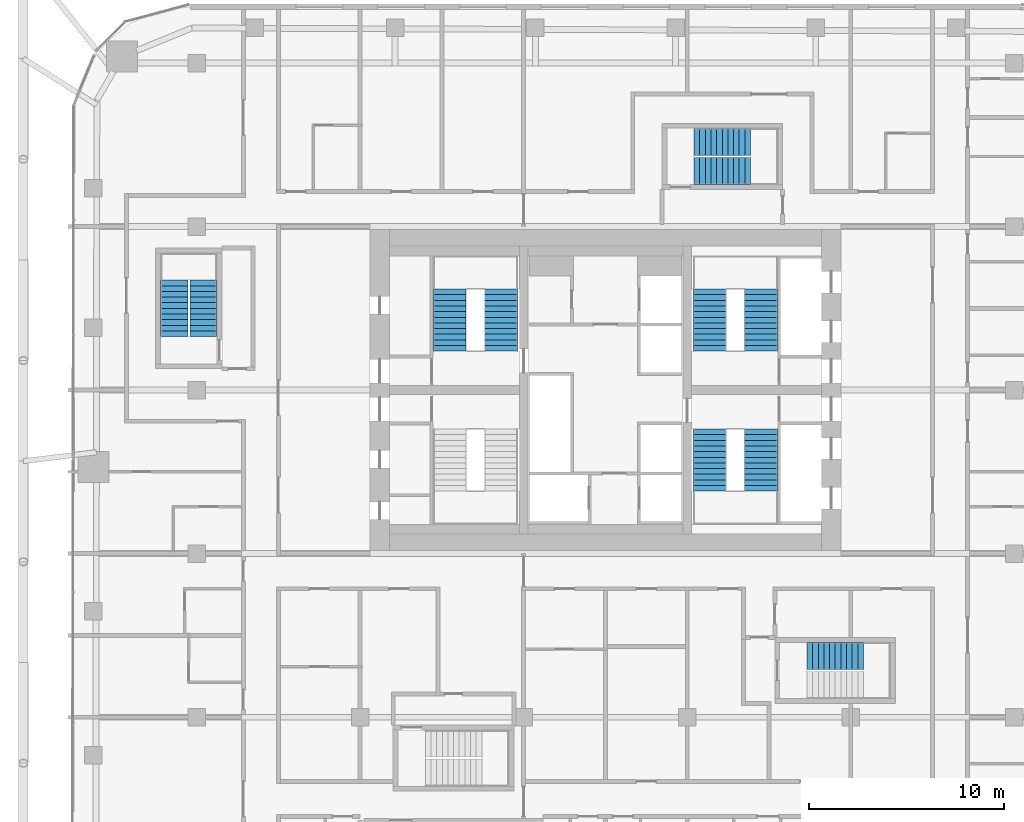
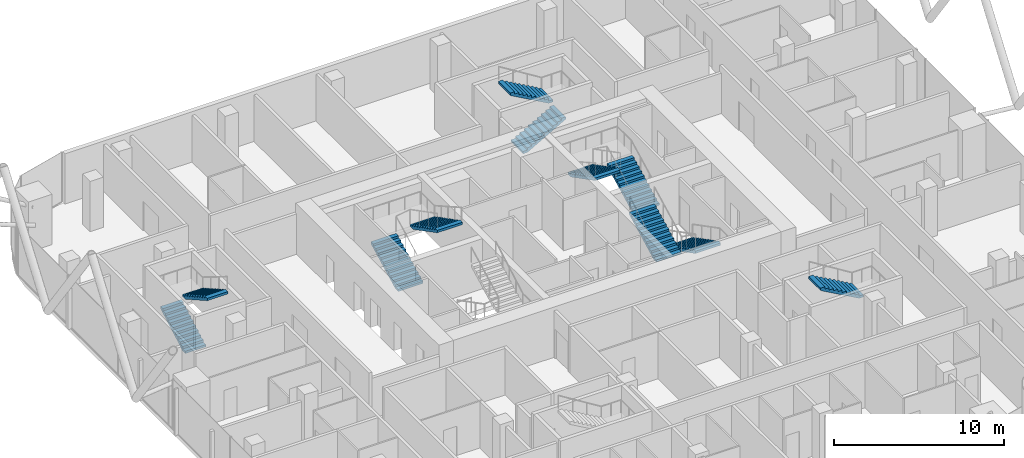
# One storey, part 34 of 36: 11 stair flights, 6 elements without a shape of their own.
"""IFC4 building model written with IfcOpenShell, lengths in metres."""

from ifc_helpers import new_model, si_unit, direction, frame, origin, place, context, subcontext, project, spatial, polyline, outline, extrude, material, type_object, element, aggregate, save


model = new_model("IFC4")

# Units and contexts
model_context = context("Model", 3, precision=1e-05, world=origin(), true_north=direction((0.0, 1.0)))
body_context = subcontext(model_context, "Body", "Model", "MODEL_VIEW")
ifc_project = project(units=[si_unit("LENGTHUNIT", "METRE"), si_unit("AREAUNIT", "SQUARE_METRE"), si_unit("VOLUMEUNIT", "CUBIC_METRE"), si_unit("PLANEANGLEUNIT", "RADIAN"), si_unit("MASSUNIT", "GRAM", prefix="KILO")], contexts=[model_context])

# Site, building, storey
site_placement = place(None, origin())
site = spatial("IfcSite", under=ifc_project, at=site_placement, CompositionType="ELEMENT")
building_placement = place(site_placement, origin())
building = spatial("IfcBuilding", under=site, at=building_placement, Name="Marenta Gate Hotel Tower", CompositionType="ELEMENT")
storey_placement = place(building_placement, frame((0.0, 0.0, 158.89990234375)))
storey = spatial("IfcBuildingStorey", under=building, at=storey_placement, Name="L37", CompositionType="ELEMENT", Elevation=158.89990234375)

# Stair, stair flights
ifc_material_1 = material(Name="Concrete C40", Category="concrete")
stair_type_1 = type_object("IfcStairType", Name="Core exit stair 1700 wide", PredefinedType="HALF_TURN_STAIR", material=ifc_material_1)
stair_1_placement = place(storey_placement, origin())
stair_1 = element("IfcStair", 1, at=stair_1_placement, inside=storey, type_object=stair_type_1, Name="Exit stair 2", PredefinedType="HALF_TURN_STAIR")
ifc_material_2 = material(Name="Concrete C40", Category="concrete")
stair_flight_type_1 = type_object("IfcStairFlightType", Name="Core stair flight 1700 riser 150.0 going 290", PredefinedType="STRAIGHT", material=ifc_material_2)
stair_flight_1_placement = place(storey_placement, frame((-8.0, 10.39990234375, 0.0), z_axis=(0.0, 0.0, 1.0), x_axis=(0.0, 1.0, 0.0)))
stair_flight_1 = element("IfcStairFlight", 2, at=stair_flight_1_placement, type_object=stair_flight_type_1, Name="ST2 flight 1", NumberOfRisers=12, NumberOfTreads=11, PredefinedType="STRAIGHT", RiserHeight=0.15, TreadLength=0.29, context=body_context, shape_type="SweptSolid", body=[
    extrude(outline(polyline([(0.0, 0.0), (0.0, 0.14990234375), (0.2900390625, 0.14990234375), (0.2900390625, 0.300048828125), (0.580078125, 0.300048828125), (0.580078125, 0.449951171875), (0.8701171875, 0.449951171875), (0.8701171875, 0.60009765625), (1.159912109375, 0.60009765625), (1.159912109375, 0.75), (1.449951171875, 0.75), (1.449951171875, 0.89990234375), (1.739990234375, 0.89990234375), (1.739990234375, 1.050048828125), (2.030029296875, 1.050048828125), (2.030029296875, 1.199951171875), (2.320068359375, 1.199951171875), (2.320068359375, 1.35009765625), (2.610107421875, 1.35009765625), (2.610107421875, 1.5), (2.89990234375, 1.5), (2.89990234375, 1.64990234375), (3.18994140625, 1.64990234375), (3.18994140625, 1.800048828125), (3.18994140625, 1.481201171875), (0.326171875, 0.0), (0.0, 0.0)])), frame((0.0, 0.85009765625, 0.0), z_axis=(0.0, -1.0, 0.0), x_axis=(1.0, 0.0, 0.0)), (0.0, 0.0, 1.0), 1.699951171875),
])
stair_flight_2_placement = place(storey_placement, frame((-5.35009765625, 13.590087890625, 1.800048828125), z_axis=(0.0, 0.0, 1.0), x_axis=(0.0, -1.0, 0.0)))
stair_flight_2 = element("IfcStairFlight", 3, at=stair_flight_2_placement, type_object=stair_flight_type_1, Name="ST2 flight 2", NumberOfRisers=12, NumberOfTreads=11, PredefinedType="STRAIGHT", RiserHeight=0.15, TreadLength=0.29, context=body_context, shape_type="SweptSolid", body=[
    extrude(outline(polyline([(0.0, 0.0), (0.0, 0.14990234375), (0.2900390625, 0.14990234375), (0.2900390625, 0.300048828125), (0.580078125, 0.300048828125), (0.580078125, 0.449951171875), (0.8701171875, 0.449951171875), (0.8701171875, 0.60009765625), (1.159912109375, 0.60009765625), (1.159912109375, 0.75), (1.449951171875, 0.75), (1.449951171875, 0.89990234375), (1.739990234375, 0.89990234375), (1.739990234375, 1.050048828125), (2.030029296875, 1.050048828125), (2.030029296875, 1.199951171875), (2.320068359375, 1.199951171875), (2.320068359375, 1.35009765625), (2.610107421875, 1.35009765625), (2.610107421875, 1.5), (2.89990234375, 1.5), (2.89990234375, 1.64990234375), (3.18994140625, 1.64990234375), (3.18994140625, 1.800048828125), (3.18994140625, 1.481201171875), (0.326171875, 0.0), (0.0, 0.0)])), frame((0.0, 0.85009765625, 0.0), z_axis=(0.0, -1.0, 0.0), x_axis=(1.0, 0.0, 0.0)), (0.0, 0.0, 1.0), 1.699951171875),
])
aggregate(stair_1, [stair_flight_1, stair_flight_2])

stair_2_placement = place(storey_placement, origin())
stair_2 = element("IfcStair", 4, at=stair_2_placement, inside=storey, type_object=stair_type_1, Name="Exit stair 3", PredefinedType="HALF_TURN_STAIR")
stair_flight_3_placement = place(storey_placement, frame((8.0, 6.39990234375, 0.0), z_axis=(0.0, 0.0, 1.0), x_axis=(0.0, -1.0, 0.0)))
stair_flight_3 = element("IfcStairFlight", 5, at=stair_flight_3_placement, type_object=stair_flight_type_1, Name="ST3 flight 1", NumberOfRisers=12, NumberOfTreads=11, PredefinedType="STRAIGHT", RiserHeight=0.15, TreadLength=0.29, context=body_context, shape_type="SweptSolid", body=[
    extrude(outline(polyline([(0.0, 0.0), (0.0, 0.14990234375), (0.2900390625, 0.14990234375), (0.2900390625, 0.300048828125), (0.580078125, 0.300048828125), (0.580078125, 0.449951171875), (0.8701171875, 0.449951171875), (0.8701171875, 0.60009765625), (1.159912109375, 0.60009765625), (1.159912109375, 0.75), (1.449951171875, 0.75), (1.449951171875, 0.89990234375), (1.739990234375, 0.89990234375), (1.739990234375, 1.050048828125), (2.030029296875, 1.050048828125), (2.030029296875, 1.199951171875), (2.320068359375, 1.199951171875), (2.320068359375, 1.35009765625), (2.610107421875, 1.35009765625), (2.610107421875, 1.5), (2.89990234375, 1.5), (2.89990234375, 1.64990234375), (3.18994140625, 1.64990234375), (3.18994140625, 1.800048828125), (3.18994140625, 1.481201171875), (0.326171875, 0.0), (0.0, 0.0)])), frame((0.0, 0.85009765625, 0.0), z_axis=(0.0, -1.0, 0.0), x_axis=(1.0, 0.0, 0.0)), (0.0, 0.0, 1.0), 1.699951171875),
])
stair_flight_4_placement = place(storey_placement, frame((5.35009765625, 3.2099609375, 1.800048828125), z_axis=(0.0, 0.0, 1.0), x_axis=(0.0, 1.0, 0.0)))
stair_flight_4 = element("IfcStairFlight", 6, at=stair_flight_4_placement, type_object=stair_flight_type_1, Name="ST3 flight 2", NumberOfRisers=12, NumberOfTreads=11, PredefinedType="STRAIGHT", RiserHeight=0.15, TreadLength=0.29, context=body_context, shape_type="SweptSolid", body=[
    extrude(outline(polyline([(0.0, 0.0), (0.0, 0.14990234375), (0.2900390625, 0.14990234375), (0.2900390625, 0.300048828125), (0.580078125, 0.300048828125), (0.580078125, 0.449951171875), (0.8701171875, 0.449951171875), (0.8701171875, 0.60009765625), (1.159912109375, 0.60009765625), (1.159912109375, 0.75), (1.449951171875, 0.75), (1.449951171875, 0.89990234375), (1.739990234375, 0.89990234375), (1.739990234375, 1.050048828125), (2.030029296875, 1.050048828125), (2.030029296875, 1.199951171875), (2.320068359375, 1.199951171875), (2.320068359375, 1.35009765625), (2.610107421875, 1.35009765625), (2.610107421875, 1.5), (2.89990234375, 1.5), (2.89990234375, 1.64990234375), (3.18994140625, 1.64990234375), (3.18994140625, 1.800048828125), (3.18994140625, 1.481201171875), (0.326171875, 0.0), (0.0, 0.0)])), frame((0.0, 0.85009765625, 0.0), z_axis=(0.0, -1.0, 0.0), x_axis=(1.0, 0.0, 0.0)), (0.0, 0.0, 1.0), 1.699951171875),
])
aggregate(stair_2, [stair_flight_3, stair_flight_4])

stair_3_placement = place(storey_placement, origin())
stair_3 = element("IfcStair", 7, at=stair_3_placement, inside=storey, type_object=stair_type_1, Name="Exit stair 4", PredefinedType="HALF_TURN_STAIR")
stair_flight_5_placement = place(storey_placement, frame((8.0, 10.39990234375, 0.0), z_axis=(0.0, 0.0, 1.0), x_axis=(0.0, 1.0, 0.0)))
stair_flight_5 = element("IfcStairFlight", 8, at=stair_flight_5_placement, type_object=stair_flight_type_1, Name="ST4 flight 1", NumberOfRisers=12, NumberOfTreads=11, PredefinedType="STRAIGHT", RiserHeight=0.15, TreadLength=0.29, context=body_context, shape_type="SweptSolid", body=[
    extrude(outline(polyline([(0.0, 0.0), (0.0, 0.14990234375), (0.2900390625, 0.14990234375), (0.2900390625, 0.300048828125), (0.580078125, 0.300048828125), (0.580078125, 0.449951171875), (0.8701171875, 0.449951171875), (0.8701171875, 0.60009765625), (1.159912109375, 0.60009765625), (1.159912109375, 0.75), (1.449951171875, 0.75), (1.449951171875, 0.89990234375), (1.739990234375, 0.89990234375), (1.739990234375, 1.050048828125), (2.030029296875, 1.050048828125), (2.030029296875, 1.199951171875), (2.320068359375, 1.199951171875), (2.320068359375, 1.35009765625), (2.610107421875, 1.35009765625), (2.610107421875, 1.5), (2.89990234375, 1.5), (2.89990234375, 1.64990234375), (3.18994140625, 1.64990234375), (3.18994140625, 1.800048828125), (3.18994140625, 1.481201171875), (0.326171875, 0.0), (0.0, 0.0)])), frame((0.0, 0.85009765625, 0.0), z_axis=(0.0, -1.0, 0.0), x_axis=(1.0, 0.0, 0.0)), (0.0, 0.0, 1.0), 1.699951171875),
])
stair_flight_6_placement = place(storey_placement, frame((5.35009765625, 13.590087890625, 1.800048828125), z_axis=(0.0, 0.0, 1.0), x_axis=(0.0, -1.0, 0.0)))
stair_flight_6 = element("IfcStairFlight", 9, at=stair_flight_6_placement, type_object=stair_flight_type_1, Name="ST4 flight 2", NumberOfRisers=12, NumberOfTreads=11, PredefinedType="STRAIGHT", RiserHeight=0.15, TreadLength=0.29, context=body_context, shape_type="SweptSolid", body=[
    extrude(outline(polyline([(0.0, 0.0), (0.0, 0.14990234375), (0.2900390625, 0.14990234375), (0.2900390625, 0.300048828125), (0.580078125, 0.300048828125), (0.580078125, 0.449951171875), (0.8701171875, 0.449951171875), (0.8701171875, 0.60009765625), (1.159912109375, 0.60009765625), (1.159912109375, 0.75), (1.449951171875, 0.75), (1.449951171875, 0.89990234375), (1.739990234375, 0.89990234375), (1.739990234375, 1.050048828125), (2.030029296875, 1.050048828125), (2.030029296875, 1.199951171875), (2.320068359375, 1.199951171875), (2.320068359375, 1.35009765625), (2.610107421875, 1.35009765625), (2.610107421875, 1.5), (2.89990234375, 1.5), (2.89990234375, 1.64990234375), (3.18994140625, 1.64990234375), (3.18994140625, 1.800048828125), (3.18994140625, 1.481201171875), (0.326171875, 0.0), (0.0, 0.0)])), frame((0.0, 0.85009765625, 0.0), z_axis=(0.0, -1.0, 0.0), x_axis=(1.0, 0.0, 0.0)), (0.0, 0.0, 1.0), 1.699951171875),
])
aggregate(stair_3, [stair_flight_5, stair_flight_6])

ifc_material_3 = material(Name="Concrete C40", Category="concrete")
stair_type_2 = type_object("IfcStairType", Name="Remote exit stair 1400 wide", PredefinedType="HALF_TURN_STAIR", material=ifc_material_3)
stair_4_placement = place(storey_placement, origin())
stair_4 = element("IfcStair", 10, at=stair_4_placement, inside=storey, type_object=stair_type_2, Name="Exit stair RS-Z1-3", PredefinedType="HALF_TURN_STAIR")
ifc_material_4 = material(Name="Concrete C40", Category="concrete")
stair_flight_type_2 = type_object("IfcStairFlightType", Name="Remote stair flight 1400 riser 163.6 going 290", PredefinedType="STRAIGHT", material=ifc_material_4)
stair_flight_7_placement = place(storey_placement, frame((-22.14990234375, 11.14990234375, 0.0), z_axis=(0.0, 0.0, 1.0), x_axis=(0.0, 1.0, 0.0)))
stair_flight_7 = element("IfcStairFlight", 11, at=stair_flight_7_placement, type_object=stair_flight_type_2, Name="RS-Z1-3 flight 1", NumberOfRisers=11, NumberOfTreads=10, PredefinedType="STRAIGHT", RiserHeight=0.163636, TreadLength=0.29, context=body_context, shape_type="SweptSolid", body=[
    extrude(outline(polyline([(0.0, 0.0), (0.0, 0.16357421875), (0.2900390625, 0.16357421875), (0.2900390625, 0.327392578125), (0.580078125, 0.327392578125), (0.580078125, 0.490966796875), (0.8701171875, 0.490966796875), (0.8701171875, 0.654541015625), (1.159912109375, 0.654541015625), (1.159912109375, 0.818115234375), (1.449951171875, 0.818115234375), (1.449951171875, 0.98193359375), (1.739990234375, 0.98193359375), (1.739990234375, 1.1455078125), (2.030029296875, 1.1455078125), (2.030029296875, 1.30908203125), (2.320068359375, 1.30908203125), (2.320068359375, 1.47265625), (2.610107421875, 1.47265625), (2.610107421875, 1.636474609375), (2.89990234375, 1.636474609375), (2.89990234375, 1.800048828125), (2.89990234375, 1.46435546875), (0.304931640625, 0.0), (0.0, 0.0)])), frame((0.0, 0.699951171875, 0.0), z_axis=(0.0, -1.0, 0.0), x_axis=(1.0, 0.0, 0.0)), (0.0, 0.0, 1.0), 1.39990234375),
])
stair_flight_8_placement = place(storey_placement, frame((-20.64990234375, 14.050048828125, 1.800048828125), z_axis=(0.0, 0.0, 1.0), x_axis=(0.0, -1.0, 0.0)))
stair_flight_8 = element("IfcStairFlight", 12, at=stair_flight_8_placement, type_object=stair_flight_type_2, Name="RS-Z1-3 flight 2", NumberOfRisers=11, NumberOfTreads=10, PredefinedType="STRAIGHT", RiserHeight=0.163636, TreadLength=0.29, context=body_context, shape_type="SweptSolid", body=[
    extrude(outline(polyline([(0.0, 0.0), (0.0, 0.16357421875), (0.2900390625, 0.16357421875), (0.2900390625, 0.327392578125), (0.580078125, 0.327392578125), (0.580078125, 0.490966796875), (0.8701171875, 0.490966796875), (0.8701171875, 0.654541015625), (1.159912109375, 0.654541015625), (1.159912109375, 0.818115234375), (1.449951171875, 0.818115234375), (1.449951171875, 0.98193359375), (1.739990234375, 0.98193359375), (1.739990234375, 1.1455078125), (2.030029296875, 1.1455078125), (2.030029296875, 1.30908203125), (2.320068359375, 1.30908203125), (2.320068359375, 1.47265625), (2.610107421875, 1.47265625), (2.610107421875, 1.636474609375), (2.89990234375, 1.636474609375), (2.89990234375, 1.800048828125), (2.89990234375, 1.46435546875), (0.304931640625, 0.0), (0.0, 0.0)])), frame((0.0, 0.699951171875, 0.0), z_axis=(0.0, -1.0, 0.0), x_axis=(1.0, 0.0, 0.0)), (0.0, 0.0, 1.0), 1.39990234375),
])
aggregate(stair_4, [stair_flight_7, stair_flight_8])

# Stair, stair flight
stair_5_placement = place(storey_placement, origin())
stair_5 = element("IfcStair", 13, at=stair_5_placement, inside=storey, type_object=stair_type_2, Name="Exit stair RS-Z2-2", PredefinedType="HALF_TURN_STAIR")
stair_flight_9_placement = place(storey_placement, frame((13.25, -5.25, 1.800048828125), z_axis=(0.0, 0.0, 1.0), x_axis=(-1.0, 0.0, 0.0)))
stair_flight_9 = element("IfcStairFlight", 14, at=stair_flight_9_placement, type_object=stair_flight_type_2, Name="RS-Z2-2 flight 2", NumberOfRisers=11, NumberOfTreads=10, PredefinedType="STRAIGHT", RiserHeight=0.163636, TreadLength=0.29, context=body_context, shape_type="SweptSolid", body=[
    extrude(outline(polyline([(0.0, 0.0), (0.0, 0.16357421875), (0.2900390625, 0.16357421875), (0.2900390625, 0.327392578125), (0.580078125, 0.327392578125), (0.580078125, 0.490966796875), (0.8701171875, 0.490966796875), (0.8701171875, 0.654541015625), (1.159912109375, 0.654541015625), (1.159912109375, 0.818115234375), (1.449951171875, 0.818115234375), (1.449951171875, 0.98193359375), (1.739990234375, 0.98193359375), (1.739990234375, 1.1455078125), (2.030029296875, 1.1455078125), (2.030029296875, 1.30908203125), (2.320068359375, 1.30908203125), (2.320068359375, 1.47265625), (2.610107421875, 1.47265625), (2.610107421875, 1.636474609375), (2.89990234375, 1.636474609375), (2.89990234375, 1.800048828125), (2.89990234375, 1.46435546875), (0.304931640625, 0.0), (0.0, 0.0)])), frame((0.0, 0.699951171875, 0.0), z_axis=(0.0, -1.0, 0.0), x_axis=(1.0, 0.0, 0.0)), (0.0, 0.0, 1.0), 1.39990234375),
])
aggregate(stair_5, [stair_flight_9])

# Stair, stair flights
stair_6_placement = place(storey_placement, origin())
stair_6 = element("IfcStair", 15, at=stair_6_placement, inside=storey, type_object=stair_type_2, Name="Exit stair RS-Z2-4", PredefinedType="HALF_TURN_STAIR")
stair_flight_10_placement = place(storey_placement, frame((4.550048828125, 19.64990234375, 0.0), z_axis=(0.0, 0.0, 1.0), x_axis=(1.0, 0.0, 0.0)))
stair_flight_10 = element("IfcStairFlight", 16, at=stair_flight_10_placement, type_object=stair_flight_type_2, Name="RS-Z2-4 flight 1", NumberOfRisers=11, NumberOfTreads=10, PredefinedType="STRAIGHT", RiserHeight=0.163636, TreadLength=0.29, context=body_context, shape_type="SweptSolid", body=[
    extrude(outline(polyline([(0.0, 0.0), (0.0, 0.16357421875), (0.2900390625, 0.16357421875), (0.2900390625, 0.327392578125), (0.580078125, 0.327392578125), (0.580078125, 0.490966796875), (0.8701171875, 0.490966796875), (0.8701171875, 0.654541015625), (1.159912109375, 0.654541015625), (1.159912109375, 0.818115234375), (1.449951171875, 0.818115234375), (1.449951171875, 0.98193359375), (1.739990234375, 0.98193359375), (1.739990234375, 1.1455078125), (2.030029296875, 1.1455078125), (2.030029296875, 1.30908203125), (2.320068359375, 1.30908203125), (2.320068359375, 1.47265625), (2.610107421875, 1.47265625), (2.610107421875, 1.636474609375), (2.89990234375, 1.636474609375), (2.89990234375, 1.800048828125), (2.89990234375, 1.46435546875), (0.304931640625, 0.0), (0.0, 0.0)])), frame((0.0, 0.699951171875, 0.0), z_axis=(0.0, -1.0, 0.0), x_axis=(1.0, 0.0, 0.0)), (0.0, 0.0, 1.0), 1.39990234375),
])
stair_flight_11_placement = place(storey_placement, frame((7.449951171875, 21.14990234375, 1.800048828125), z_axis=(0.0, 0.0, 1.0), x_axis=(-1.0, 0.0, 0.0)))
stair_flight_11 = element("IfcStairFlight", 17, at=stair_flight_11_placement, type_object=stair_flight_type_2, Name="RS-Z2-4 flight 2", NumberOfRisers=11, NumberOfTreads=10, PredefinedType="STRAIGHT", RiserHeight=0.163636, TreadLength=0.29, context=body_context, shape_type="SweptSolid", body=[
    extrude(outline(polyline([(0.0, 0.0), (0.0, 0.16357421875), (0.2900390625, 0.16357421875), (0.2900390625, 0.327392578125), (0.580078125, 0.327392578125), (0.580078125, 0.490966796875), (0.8701171875, 0.490966796875), (0.8701171875, 0.654541015625), (1.159912109375, 0.654541015625), (1.159912109375, 0.818115234375), (1.449951171875, 0.818115234375), (1.449951171875, 0.98193359375), (1.739990234375, 0.98193359375), (1.739990234375, 1.1455078125), (2.030029296875, 1.1455078125), (2.030029296875, 1.30908203125), (2.320068359375, 1.30908203125), (2.320068359375, 1.47265625), (2.610107421875, 1.47265625), (2.610107421875, 1.636474609375), (2.89990234375, 1.636474609375), (2.89990234375, 1.800048828125), (2.89990234375, 1.46435546875), (0.304931640625, 0.0), (0.0, 0.0)])), frame((0.0, 0.699951171875, 0.0), z_axis=(0.0, -1.0, 0.0), x_axis=(1.0, 0.0, 0.0)), (0.0, 0.0, 1.0), 1.39990234375),
])
aggregate(stair_6, [stair_flight_10, stair_flight_11])

save(model, "model.ifc")
